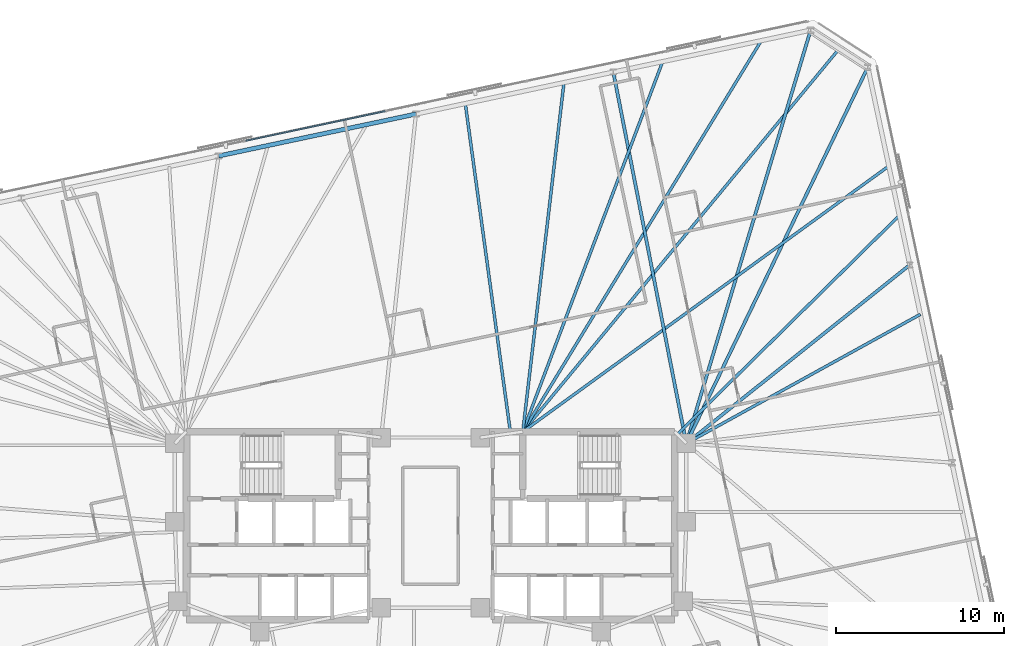
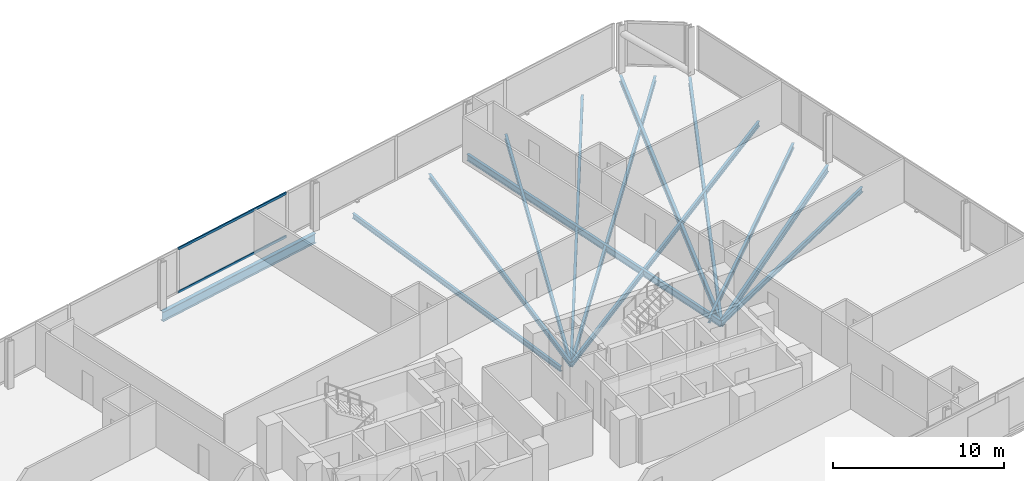
# One storey, part 10 of 19: 13 beams, 2 members, 1 element without a shape of its own.
"""IFC4 building model written with IfcOpenShell, lengths in metres."""

from ifc_helpers import new_model, si_unit, direction, frame, origin, origin_2d, place, context, subcontext, project, spatial, rectangle, i_section, extrude, material, material_profile, profile_set, type_object, element, aggregate, save


model = new_model("IFC4")

# Units and contexts
model_context = context("Model", 3, precision=1e-05, world=origin(), true_north=direction((0.0, 1.0)))
body_context = subcontext(model_context, "Body", "Model", "MODEL_VIEW")
ifc_project = project(units=[si_unit("LENGTHUNIT", "METRE"), si_unit("AREAUNIT", "SQUARE_METRE"), si_unit("VOLUMEUNIT", "CUBIC_METRE"), si_unit("PLANEANGLEUNIT", "RADIAN"), si_unit("MASSUNIT", "GRAM", prefix="KILO")], contexts=[model_context])

# Site, building, storey
site_placement = place(None, origin())
site = spatial("IfcSite", under=ifc_project, at=site_placement, CompositionType="ELEMENT")
building_placement = place(site_placement, origin())
building = spatial("IfcBuilding", under=site, at=building_placement, Name="Menara Jurai Vektor", CompositionType="ELEMENT")
storey_placement = place(building_placement, frame((0.0, 0.0, 151.39990234375)))
storey = spatial("IfcBuildingStorey", under=building, at=storey_placement, Name="L38", CompositionType="ELEMENT", Elevation=151.39990234375)

# Curtain wall, members
ifc_material_1 = material(Name="Anodised Pale Aluminium & Low-E Double Glazing", Category="aluminium")
curtain_wall_type = type_object("IfcCurtainWallType", Name="CW-BLK3", PredefinedType="NOTDEFINED", material=ifc_material_1)
curtain_wall_placement = place(storey_placement, origin())
curtain_wall = element("IfcCurtainWall", 1, at=curtain_wall_placement, inside=storey, type_object=curtain_wall_type, Name="Unitised Curtain Wall L38 F05", PredefinedType="NOTDEFINED")
ifc_material_2 = material(Name="Anodised Pale Aluminium Transom", Category="aluminium")
ifc_material_profile_1 = material_profile(ifc_material_2, rectangle(XDim=0.0849609375, YDim=0.175048828125, at=origin_2d()), Name="ALU TRN 85x175")
ifc_profile_set_1 = profile_set([ifc_material_profile_1], Name="Anodised Pale Aluminium Transom")
member_type = type_object("IfcMemberType", Name="CW-BLK3-TRN", PredefinedType="USERDEFINED", material=ifc_profile_set_1)
member_1_placement = place(storey_placement, frame((-2.716796875, 24.712890625, 0.04248046875), z_axis=(-0.978153589924, -0.207883511896, 0.0), x_axis=(0.207883511896, -0.978153589924, 0.0)))
member_1 = element("IfcMember", 2, at=member_1_placement, type_object=member_type, Name="CW-03 transom 4.1", ObjectType="TRANSOM", PredefinedType="USERDEFINED", context=body_context, shape_type="SweptSolid", body=[
    extrude(rectangle(XDim=0.0849609375, YDim=0.175048828125, at=origin_2d()), origin(), (0.0, 0.0, 1.0), 8.4921875),
])
member_2_placement = place(storey_placement, frame((-2.716796875, 24.712890625, 3.132568359375), z_axis=(-0.978153589924, -0.207883511896, 0.0), x_axis=(0.207883511896, -0.978153589924, 0.0)))
member_2 = element("IfcMember", 3, at=member_2_placement, type_object=member_type, Name="CW-03 transom 4.2", ObjectType="TRANSOM", PredefinedType="USERDEFINED", context=body_context, shape_type="SweptSolid", body=[
    extrude(rectangle(XDim=0.0849609375, YDim=0.175048828125, at=origin_2d()), origin(), (0.0, 0.0, 1.0), 8.4921875),
])
aggregate(curtain_wall, [member_1, member_2])

# Beams
ifc_material_3 = material(Name="Steel S355", Category="steel")
ifc_material_profile_2 = material_profile(ifc_material_3, i_section(OverallWidth=0.19091796875, OverallDepth=0.4599609375, WebThickness=0.010009765625, FlangeThickness=0.01611328125, FilletRadius=0.010009765625, at=origin_2d()), Name="UKB 457x191x82")
ifc_profile_set_2 = profile_set([ifc_material_profile_2], Name="Steel S355")
beam_type_1 = type_object("IfcBeamType", Name="STR-BM-457", PredefinedType="BEAM", material=ifc_profile_set_2)
beam_1_placement = place(storey_placement, frame((28.5771484375, 15.544921875, -0.454833984375), z_axis=(-0.781346163898, -0.624097886683, 0.0), x_axis=(0.624097886683, -0.781346163898, 0.0)))
element("IfcBeam", 4, at=beam_1_placement, inside=storey, type_object=beam_type_1, Name="Radial Floor Girder L38-E3", PredefinedType="BEAM", context=body_context, shape_type="SweptSolid", body=[
    extrude(i_section(OverallWidth=0.19091796875, OverallDepth=0.4599609375, WebThickness=0.010009765625, FlangeThickness=0.01611328125, FilletRadius=0.010009765625, at=origin_2d()), origin(), (0.0, 0.0, 1.0), 17.056640625),
])
beam_2_placement = place(storey_placement, frame((26.0712890625, 27.33349609375, -0.454833984375), z_axis=(-0.434465059539, -0.900688687639, 0.0), x_axis=(0.900688687639, -0.434465059539, 0.0)))
element("IfcBeam", 5, at=beam_2_placement, inside=storey, type_object=beam_type_1, Name="Radial Floor Girder L38-E4", PredefinedType="BEAM", context=body_context, shape_type="SweptSolid", body=[
    extrude(i_section(OverallWidth=0.19091796875, OverallDepth=0.4599609375, WebThickness=0.010009765625, FlangeThickness=0.01611328125, FilletRadius=0.010009765625, at=origin_2d()), origin(), (0.0, 0.0, 1.0), 24.9072265625),
])
beam_3_placement = place(storey_placement, frame((22.664794921875, 29.545654296875, -0.454833984375), z_axis=(-0.288098843548, -0.957600676872, 0.0), x_axis=(0.957600676872, -0.288098843548, 0.0)))
element("IfcBeam", 6, at=beam_3_placement, inside=storey, type_object=beam_type_1, Name="Radial Floor Girder L38-N1", PredefinedType="BEAM", context=body_context, shape_type="SweptSolid", body=[
    extrude(i_section(OverallWidth=0.19091796875, OverallDepth=0.4599609375, WebThickness=0.010009765625, FlangeThickness=0.01611328125, FilletRadius=0.010009765625, at=origin_2d()), origin(), (0.0, 0.0, 1.0), 25.737060546875),
])
beam_4_placement = place(storey_placement, frame((10.896484375, 27.044189453125, -0.454833984375), z_axis=(0.192905075816, -0.981217423268, 0.0), x_axis=(0.981217423268, 0.192905075816, 0.0)))
element("IfcBeam", 7, at=beam_4_placement, inside=storey, type_object=beam_type_1, Name="Radial Floor Girder L38-N2", PredefinedType="BEAM", context=body_context, shape_type="SweptSolid", body=[
    extrude(i_section(OverallWidth=0.19091796875, OverallDepth=0.4599609375, WebThickness=0.010009765625, FlangeThickness=0.01611328125, FilletRadius=0.010009765625, at=origin_2d()), origin(), (0.0, 0.0, 1.0), 22.568115234375),
])
ifc_material_profile_3 = material_profile(ifc_material_3, i_section(OverallWidth=0.172119140625, OverallDepth=0.35498046875, WebThickness=0.007080078125, FlangeThickness=0.011962890625, FilletRadius=0.010009765625, at=origin_2d()), Name="UKB 356x171x51")
ifc_profile_set_3 = profile_set([ifc_material_profile_3], Name="Steel S355")
beam_type_2 = type_object("IfcBeamType", Name="STR-JS-356", PredefinedType="JOIST", material=ifc_profile_set_3)
beam_5_placement = place(storey_placement, frame((29.20361328125, 12.597900390625, -0.40234375), z_axis=(-0.875592207488, -0.483051018202, 0.0), x_axis=(0.483051018202, -0.875592207488, 0.0)))
element("IfcBeam", 8, at=beam_5_placement, inside=storey, type_object=beam_type_2, Name="Radial Secondary Floor Joist L38-JS14", PredefinedType="JOIST", context=body_context, shape_type="SweptSolid", body=[
    extrude(i_section(OverallWidth=0.172119140625, OverallDepth=0.35498046875, WebThickness=0.007080078125, FlangeThickness=0.011962890625, FilletRadius=0.010009765625, at=origin_2d()), origin(), (0.0, 0.0, 1.0), 15.936279296875),
])
beam_6_placement = place(storey_placement, frame((27.95068359375, 18.4921875, -0.40234375), z_axis=(-0.712171791789, -0.702005227174, 0.0), x_axis=(0.702005227174, -0.712171791789, 0.0)))
element("IfcBeam", 9, at=beam_6_placement, inside=storey, type_object=beam_type_2, Name="Radial Secondary Floor Joist L38-JS15", PredefinedType="JOIST", context=body_context, shape_type="SweptSolid", body=[
    extrude(i_section(OverallWidth=0.172119140625, OverallDepth=0.35498046875, WebThickness=0.007080078125, FlangeThickness=0.011962890625, FilletRadius=0.010009765625, at=origin_2d()), origin(), (0.0, 0.0, 1.0), 18.5869140625),
])
beam_7_placement = place(storey_placement, frame((27.32421875, 21.439208984375, -0.40234375), z_axis=(-0.809318640486, -0.587369847848, 0.0), x_axis=(0.587369847848, -0.809318640486, 0.0)))
element("IfcBeam", 10, at=beam_7_placement, inside=storey, type_object=beam_type_2, Name="Radial Secondary Floor Joist L38-JS16", PredefinedType="JOIST", context=body_context, shape_type="SweptSolid", body=[
    extrude(i_section(OverallWidth=0.172119140625, OverallDepth=0.35498046875, WebThickness=0.007080078125, FlangeThickness=0.011962890625, FilletRadius=0.010009765625, at=origin_2d()), origin(), (0.0, 0.0, 1.0), 26.966064453125),
])
beam_8_placement = place(storey_placement, frame((24.3681640625, 28.439697265625, -0.40234375), z_axis=(-0.636894863934, -0.770950667873, 0.0), x_axis=(0.770950667873, -0.636894863934, 0.0)))
element("IfcBeam", 11, at=beam_8_placement, inside=storey, type_object=beam_type_2, Name="Radial Secondary Floor Joist L38-JS17", PredefinedType="JOIST", context=body_context, shape_type="SweptSolid", body=[
    extrude(i_section(OverallWidth=0.172119140625, OverallDepth=0.35498046875, WebThickness=0.007080078125, FlangeThickness=0.011962890625, FilletRadius=0.010009765625, at=origin_2d()), origin(), (0.0, 0.0, 1.0), 29.625244140625),
])
beam_9_placement = place(storey_placement, frame((19.72265625, 28.92041015625, -0.40234375), z_axis=(-0.520686242997, -0.8537481106, 0.0), x_axis=(0.8537481106, -0.520686242997, 0.0)))
element("IfcBeam", 12, at=beam_9_placement, inside=storey, type_object=beam_type_2, Name="Radial Secondary Floor Joist L38-JS18", PredefinedType="JOIST", context=body_context, shape_type="SweptSolid", body=[
    extrude(i_section(OverallWidth=0.172119140625, OverallDepth=0.35498046875, WebThickness=0.007080078125, FlangeThickness=0.011962890625, FilletRadius=0.010009765625, at=origin_2d()), origin(), (0.0, 0.0, 1.0), 27.315185546875),
])
beam_10_placement = place(storey_placement, frame((13.838623046875, 27.669677734375, -0.40234375), z_axis=(-0.353446048928, -0.935454910991, 0.0), x_axis=(0.935454910991, -0.353446048928, 0.0)))
element("IfcBeam", 13, at=beam_10_placement, inside=storey, type_object=beam_type_2, Name="Radial Secondary Floor Joist L38-JS19", PredefinedType="JOIST", context=body_context, shape_type="SweptSolid", body=[
    extrude(i_section(OverallWidth=0.172119140625, OverallDepth=0.35498046875, WebThickness=0.007080078125, FlangeThickness=0.011962890625, FilletRadius=0.010009765625, at=origin_2d()), origin(), (0.0, 0.0, 1.0), 23.59228515625),
])
beam_11_placement = place(storey_placement, frame((7.95458984375, 26.4189453125, -0.40234375), z_axis=(-0.117091260338, -0.99312115915, 0.0), x_axis=(0.99312115915, -0.117091260338, 0.0)))
element("IfcBeam", 14, at=beam_11_placement, inside=storey, type_object=beam_type_2, Name="Radial Secondary Floor Joist L38-JS20", PredefinedType="JOIST", context=body_context, shape_type="SweptSolid", body=[
    extrude(i_section(OverallWidth=0.172119140625, OverallDepth=0.35498046875, WebThickness=0.007080078125, FlangeThickness=0.011962890625, FilletRadius=0.010009765625, at=origin_2d()), origin(), (0.0, 0.0, 1.0), 20.963134765625),
])
beam_12_placement = place(storey_placement, frame((2.0703125, 25.168212890625, -0.40234375), z_axis=(0.135985700778, -0.990710799973, 0.0), x_axis=(0.990710799973, 0.135985700778, 0.0)))
element("IfcBeam", 15, at=beam_12_placement, inside=storey, type_object=beam_type_2, Name="Radial Secondary Floor Joist L38-JS21", PredefinedType="JOIST", context=body_context, shape_type="SweptSolid", body=[
    extrude(i_section(OverallWidth=0.172119140625, OverallDepth=0.35498046875, WebThickness=0.007080078125, FlangeThickness=0.011962890625, FilletRadius=0.010009765625, at=origin_2d()), origin(), (0.0, 0.0, 1.0), 19.852783203125),
])
ifc_material_4 = material(Name="Steel S460", Category="steel")
ifc_material_profile_4 = material_profile(ifc_material_4, i_section(OverallWidth=0.256103515625, OverallDepth=0.693115234375, WebThickness=0.013916015625, FlangeThickness=0.02392578125, FilletRadius=0.014892578125, at=origin_2d()), Name="UKB 686x254x170")
ifc_profile_set_4 = profile_set([ifc_material_profile_4], Name="Steel S460")
beam_type_3 = type_object("IfcBeamType", Name="STR-SP-686", PredefinedType="SPANDREL", material=ifc_profile_set_4)
beam_13_placement = place(storey_placement, frame((-0.87158203125, 24.54296875, -0.5712890625), z_axis=(-0.978147039247, -0.207914332389, 0.0), x_axis=(0.207914332389, -0.978147039247, 0.0)))
element("IfcBeam", 16, at=beam_13_placement, inside=storey, type_object=beam_type_3, Name="Exoskeleton Spandrel Beam L38-13", PredefinedType="SPANDREL", context=body_context, shape_type="SweptSolid", body=[
    extrude(i_section(OverallWidth=0.256103515625, OverallDepth=0.693115234375, WebThickness=0.013916015625, FlangeThickness=0.02392578125, FilletRadius=0.014892578125, at=origin_2d()), origin(), (0.0, 0.0, 1.0), 12.03125),
])

save(model, "model.ifc")
